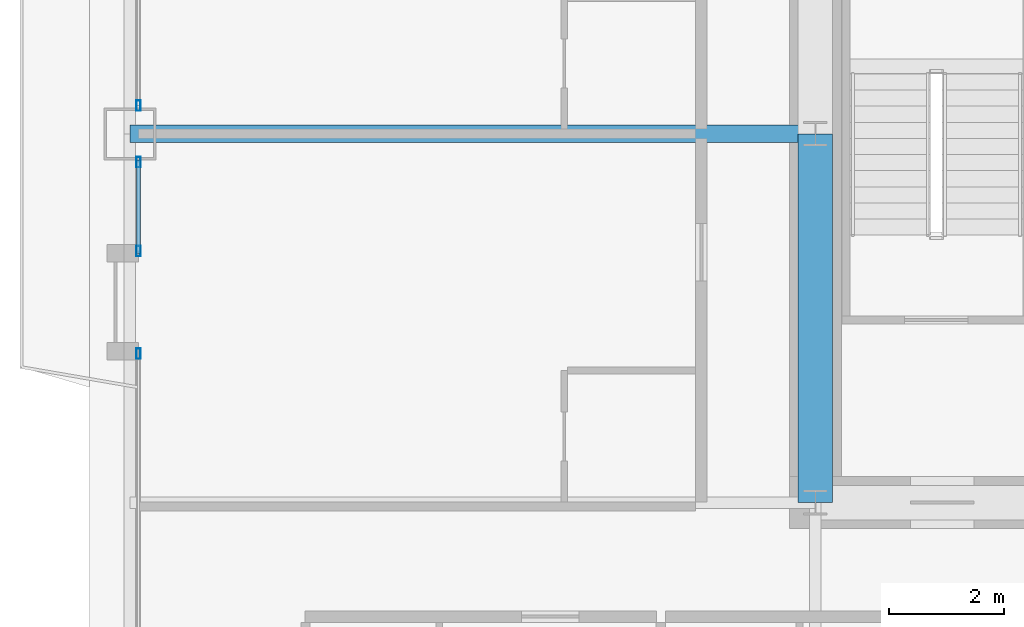
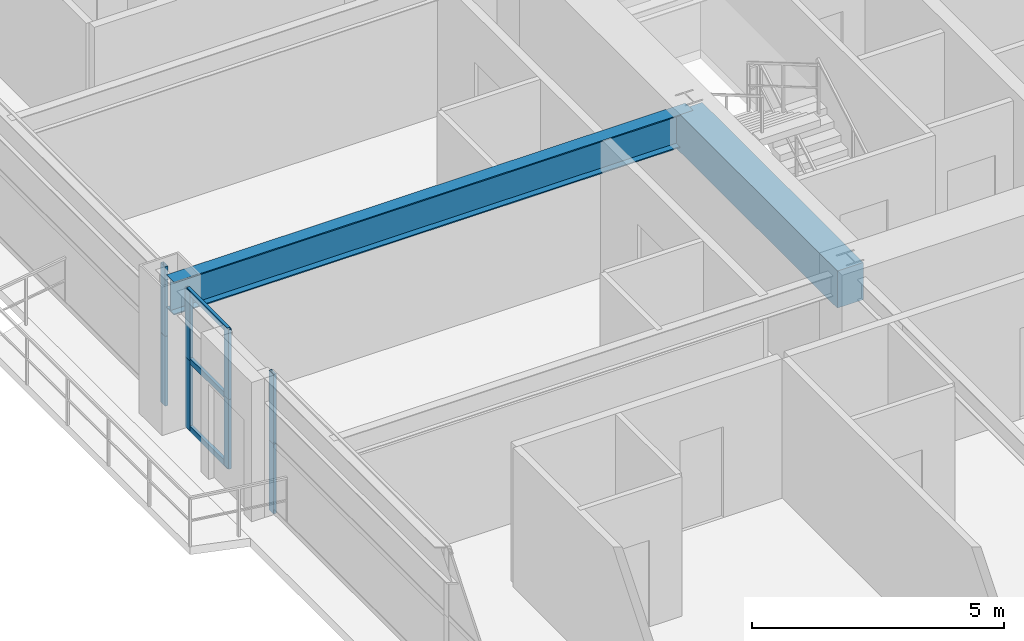
# One storey, part 13 of 46: 11 members, 2 beams, 3 elements without a shape of their own.
"""IFC4 building model written with IfcOpenShell, lengths in metres."""

from ifc_helpers import new_model, si_unit, direction, frame, origin, origin_2d, place, context, subcontext, project, spatial, rectangle, hollow_rectangle, i_section, extrude, source, transform, mapped, material, layer, layer_set, material_profile, profile_set, type_object, element, aggregate, save


model = new_model("IFC4")

# Units and contexts
model_context = context("Model", 3, precision=1e-05, world=origin(), true_north=direction((0.0, 1.0)))
body_context = subcontext(model_context, "Body", "Model", "MODEL_VIEW")
ifc_project = project(units=[si_unit("LENGTHUNIT", "METRE"), si_unit("AREAUNIT", "SQUARE_METRE"), si_unit("VOLUMEUNIT", "CUBIC_METRE"), si_unit("PLANEANGLEUNIT", "RADIAN"), si_unit("MASSUNIT", "GRAM", prefix="KILO"), si_unit("THERMODYNAMICTEMPERATUREUNIT", "KELVIN"), si_unit("POWERUNIT", "WATT")], contexts=[model_context])

# Site, building, storey
site_placement = place(None, origin())
site = spatial("IfcSite", under=ifc_project, at=site_placement, CompositionType="ELEMENT")
building_placement = place(site_placement, origin())
building = spatial("IfcBuilding", under=site, at=building_placement, Name="Yuzanri Waterfront Tower", CompositionType="ELEMENT")
storey_placement = place(building_placement, frame((0.0, 0.0, 56.800048828125)))
storey = spatial("IfcBuildingStorey", under=building, at=storey_placement, Name="L14", CompositionType="ELEMENT", Elevation=56.800048828125)

# Beams
ifc_material_1 = material(Name="Concrete C60", Category="concrete")
ifc_material_profile_1 = material_profile(ifc_material_1, rectangle(XDim=0.60009765625, YDim=0.89990234375, at=origin_2d()), Name="RC 600x900")
ifc_profile_set_1 = profile_set([ifc_material_profile_1], Name="Concrete C60")
beam_type_1 = type_object("IfcBeamType", Name="Core Coupling Lintel Concrete C60 600x900", PredefinedType="LINTEL", material=ifc_profile_set_1)
shared_shape_1 = source(origin(), body_context, "Body", "SweptSolid", [
    extrude(rectangle(XDim=0.60009765625, YDim=0.89990234375, at=origin_2d()), origin(), (0.0, 0.0, 1.0), 6.400146484375),
])
beam_1_placement = place(storey_placement, frame((23.800048828125, 19.39990234375, 2.929931640625), z_axis=(0.0, 1.0, 0.0), x_axis=(-1.0, 0.0, 0.0)))
element("IfcBeam", 1, at=beam_1_placement, inside=storey, type_object=beam_type_1, Name="L14 Core Tie Beam CW1", PredefinedType="LINTEL", context=body_context, shape_type="MappedRepresentation", body=[
    mapped(shared_shape_1, transform((0.0, 0.0, 0.0), scale=1.0)),
])
ifc_material_2 = material(Name="Steel Q355B", Category="steel")
ifc_material_profile_2 = material_profile(ifc_material_2, i_section(OverallWidth=0.300048828125, OverallDepth=0.800048828125, WebThickness=0.013916015625, FlangeThickness=0.02587890625, at=origin_2d()), Name="HN 800x300x14x26")
ifc_profile_set_2 = profile_set([ifc_material_profile_2], Name="Steel Q355B")
beam_type_2 = type_object("IfcBeamType", Name="Primary Floor Girder Q355B HN 800x300", PredefinedType="BEAM", material=ifc_profile_set_2)
shared_shape_2 = source(origin(), body_context, "Body", "SweptSolid", [
    extrude(i_section(OverallWidth=0.300048828125, OverallDepth=0.800048828125, WebThickness=0.013916015625, FlangeThickness=0.02587890625, at=origin_2d()), origin(), (0.0, 0.0, 1.0), 11.900146484375),
])
beam_2_placement = place(storey_placement, frame((23.800048828125, 25.800048828125, 2.97998046875), z_axis=(-1.0, 0.0, 0.0), x_axis=(0.0, -1.0, 0.0)))
element("IfcBeam", 2, at=beam_2_placement, inside=storey, type_object=beam_type_2, Name="L14 West Grid Girder", PredefinedType="BEAM", context=body_context, shape_type="MappedRepresentation", body=[
    mapped(shared_shape_2, transform((0.0, 0.0, 0.0), scale=1.0)),
])

# Curtain wall, members
ifc_material_3 = material(Name="Anodized Architectural Bronze", Category="metal")
ifc_layer = layer(ifc_material_3, 0.159912109375)
ifc_layer_set = layer_set([ifc_layer], Name="Anodized Architectural Bronze")
curtain_wall_type = type_object("IfcCurtainWallType", Name="Anodized Bronze Hotel Lower-Tier Recessed Unitized Curtain Wall 8100", PredefinedType="NOTDEFINED", material=ifc_layer_set)
curtain_wall_1_placement = place(storey_placement, origin())
curtain_wall_1 = element("IfcCurtainWall", 3, at=curtain_wall_1_placement, inside=storey, type_object=curtain_wall_type, Name="L14 Curtain Wall CW-L14-WL1", PredefinedType="NOTDEFINED")
ifc_material_4 = material(Name="Anodized Architectural Bronze", Category="metal")
ifc_material_profile_3 = material_profile(ifc_material_4, hollow_rectangle(XDim=0.070068359375, YDim=0.179931640625, WallThickness=0.00390625, at=origin_2d()), Name="CWM 70x180")
ifc_profile_set_3 = profile_set([ifc_material_profile_3], Name="Anodized Architectural Bronze")
member_type_1 = type_object("IfcMemberType", Name="Anodized Bronze Standard Curtain-Wall Mullion 70x180", PredefinedType="MULLION", material=ifc_profile_set_3)
shared_shape_3 = source(origin(), body_context, "Body", "SweptSolid", [
    extrude(hollow_rectangle(XDim=0.070068359375, YDim=0.179931640625, WallThickness=0.00390625, at=origin_2d()), origin(), (0.0, 0.0, 1.0), 1.68798828125),
])
member_1_placement = place(storey_placement, frame((12.050048828125, 21.985107421875, 0.0), z_axis=(0.0, 0.0, 1.0), x_axis=(1.0, 0.0, 0.0)))
member_1 = element("IfcMember", 4, at=member_1_placement, type_object=member_type_1, Name="CW-L14-WL1 Lower Mullion 02", PredefinedType="MULLION", context=body_context, shape_type="MappedRepresentation", body=[
    mapped(shared_shape_3, transform((0.0, 0.0, 0.0), scale=1.0)),
])
member_2_placement = place(storey_placement, frame((12.050048828125, 21.985107421875, 1.69189453125), z_axis=(0.0, 0.0, 1.0), x_axis=(1.0, 0.0, 0.0)))
member_2 = element("IfcMember", 5, at=member_2_placement, type_object=member_type_1, Name="CW-L14-WL1 Upper Mullion 02", PredefinedType="MULLION", context=body_context, shape_type="MappedRepresentation", body=[
    mapped(shared_shape_3, transform((0.0, 0.0, 0.0), scale=1.0)),
])
aggregate(curtain_wall_1, [member_1, member_2])

curtain_wall_2_placement = place(storey_placement, origin())
curtain_wall_2 = element("IfcCurtainWall", 6, at=curtain_wall_2_placement, inside=storey, type_object=curtain_wall_type, Name="L14 Curtain Wall CW-L14-WL2", PredefinedType="NOTDEFINED")
member_3_placement = place(storey_placement, frame((12.050048828125, 23.764892578125, 0.0), z_axis=(0.0, 0.0, 1.0), x_axis=(1.0, 0.0, 0.0)))
member_3 = element("IfcMember", 7, at=member_3_placement, type_object=member_type_1, Name="CW-L14-WL2 Lower Mullion 00", PredefinedType="MULLION", context=body_context, shape_type="MappedRepresentation", body=[
    mapped(shared_shape_3, transform((0.0, 0.0, 0.0), scale=1.0)),
])
member_4_placement = place(storey_placement, frame((12.050048828125, 23.764892578125, 1.69189453125), z_axis=(0.0, 0.0, 1.0), x_axis=(1.0, 0.0, 0.0)))
member_4 = element("IfcMember", 8, at=member_4_placement, type_object=member_type_1, Name="CW-L14-WL2 Upper Mullion 00", PredefinedType="MULLION", context=body_context, shape_type="MappedRepresentation", body=[
    mapped(shared_shape_3, transform((0.0, 0.0, 0.0), scale=1.0)),
])
member_5_placement = place(storey_placement, frame((12.050048828125, 25.31005859375, 0.0), z_axis=(0.0, 0.0, 1.0), x_axis=(1.0, 0.0, 0.0)))
member_5 = element("IfcMember", 9, at=member_5_placement, type_object=member_type_1, Name="CW-L14-WL2 Lower Mullion 01", PredefinedType="MULLION", context=body_context, shape_type="MappedRepresentation", body=[
    mapped(shared_shape_3, transform((0.0, 0.0, 0.0), scale=1.0)),
])
member_6_placement = place(storey_placement, frame((12.050048828125, 25.31005859375, 1.69189453125), z_axis=(0.0, 0.0, 1.0), x_axis=(1.0, 0.0, 0.0)))
member_6 = element("IfcMember", 10, at=member_6_placement, type_object=member_type_1, Name="CW-L14-WL2 Upper Mullion 01", PredefinedType="MULLION", context=body_context, shape_type="MappedRepresentation", body=[
    mapped(shared_shape_3, transform((0.0, 0.0, 0.0), scale=1.0)),
])

curtain_wall_3_placement = place(storey_placement, origin())
curtain_wall_3 = element("IfcCurtainWall", 11, at=curtain_wall_3_placement, inside=storey, type_object=curtain_wall_type, Name="L14 Curtain Wall CW-L14-WR", PredefinedType="NOTDEFINED")
member_7_placement = place(storey_placement, frame((12.050048828125, 26.2900390625, 0.0), z_axis=(0.0, 0.0, 1.0), x_axis=(1.0, 0.0, 0.0)))
member_7 = element("IfcMember", 12, at=member_7_placement, type_object=member_type_1, Name="CW-L14-WR Lower Mullion 00", PredefinedType="MULLION", context=body_context, shape_type="MappedRepresentation", body=[
    mapped(shared_shape_3, transform((0.0, 0.0, 0.0), scale=1.0)),
])
member_8_placement = place(storey_placement, frame((12.050048828125, 26.2900390625, 1.69189453125), z_axis=(0.0, 0.0, 1.0), x_axis=(1.0, 0.0, 0.0)))
member_8 = element("IfcMember", 13, at=member_8_placement, type_object=member_type_1, Name="CW-L14-WR Upper Mullion 00", PredefinedType="MULLION", context=body_context, shape_type="MappedRepresentation", body=[
    mapped(shared_shape_3, transform((0.0, 0.0, 0.0), scale=1.0)),
])
aggregate(curtain_wall_3, [member_7, member_8])

# Member
ifc_material_5 = material(Name="Anodized Architectural Bronze", Category="metal")
ifc_material_profile_4 = material_profile(ifc_material_5, hollow_rectangle(XDim=0.070068359375, YDim=0.135009765625, WallThickness=0.00341796875, at=origin_2d()), Name="CWT 70x135")
ifc_profile_set_4 = profile_set([ifc_material_profile_4], Name="Anodized Architectural Bronze")
member_type_2 = type_object("IfcMemberType", Name="Anodized Bronze Standard Curtain-Wall Transom 70x135", PredefinedType="USERDEFINED", material=ifc_profile_set_4)
shared_shape_4 = source(origin(), body_context, "Body", "SweptSolid", [
    extrude(hollow_rectangle(XDim=0.070068359375, YDim=0.135009765625, WallThickness=0.00341796875, at=origin_2d()), origin(), (0.0, 0.0, 1.0), 1.625),
])
member_9_placement = place(storey_placement, frame((12.050048828125, 23.72509765625, 0.050048828125), z_axis=(0.0, 1.0, 0.0), x_axis=(-1.0, 0.0, 0.0)))
member_9 = element("IfcMember", 14, at=member_9_placement, type_object=member_type_2, Name="CW-L14-WL2 Transom 1", ObjectType="TRANSOM", PredefinedType="USERDEFINED", context=body_context, shape_type="MappedRepresentation", body=[
    mapped(shared_shape_4, transform((0.0, 0.0, 0.0), scale=1.0)),
])

member_10_placement = place(storey_placement, frame((12.050048828125, 23.72509765625, 1.68994140625), z_axis=(0.0, 1.0, 0.0), x_axis=(-1.0, 0.0, 0.0)))
member_10 = element("IfcMember", 15, at=member_10_placement, type_object=member_type_2, Name="CW-L14-WL2 Transom 2", ObjectType="TRANSOM", PredefinedType="USERDEFINED", context=body_context, shape_type="MappedRepresentation", body=[
    mapped(shared_shape_4, transform((0.0, 0.0, 0.0), scale=1.0)),
])

member_11_placement = place(storey_placement, frame((12.050048828125, 23.72509765625, 3.329833984375), z_axis=(0.0, 1.0, 0.0), x_axis=(-1.0, 0.0, 0.0)))
member_11 = element("IfcMember", 16, at=member_11_placement, type_object=member_type_2, Name="CW-L14-WL2 Transom 3", ObjectType="TRANSOM", PredefinedType="USERDEFINED", context=body_context, shape_type="MappedRepresentation", body=[
    mapped(shared_shape_4, transform((0.0, 0.0, 0.0), scale=1.0)),
])

aggregate(curtain_wall_2, [member_3, member_4, member_5, member_6, member_9, member_10, member_11])

save(model, "model.ifc")
